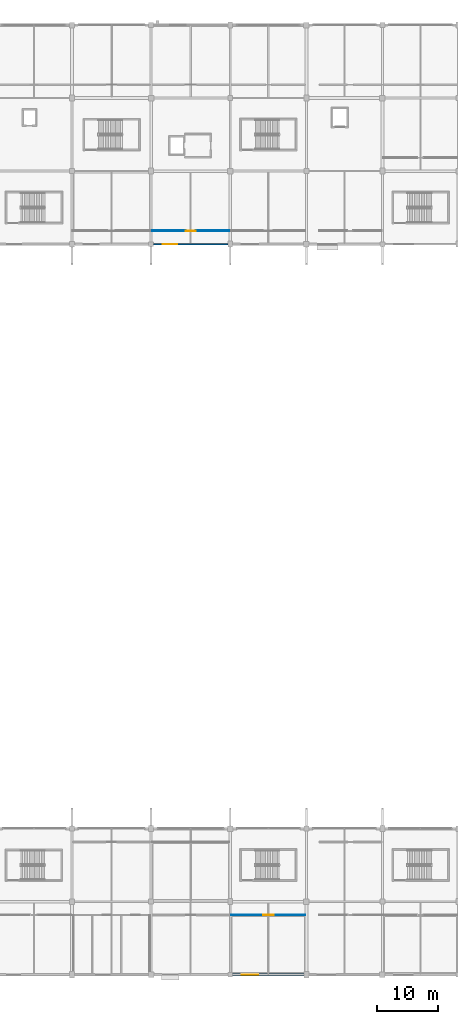
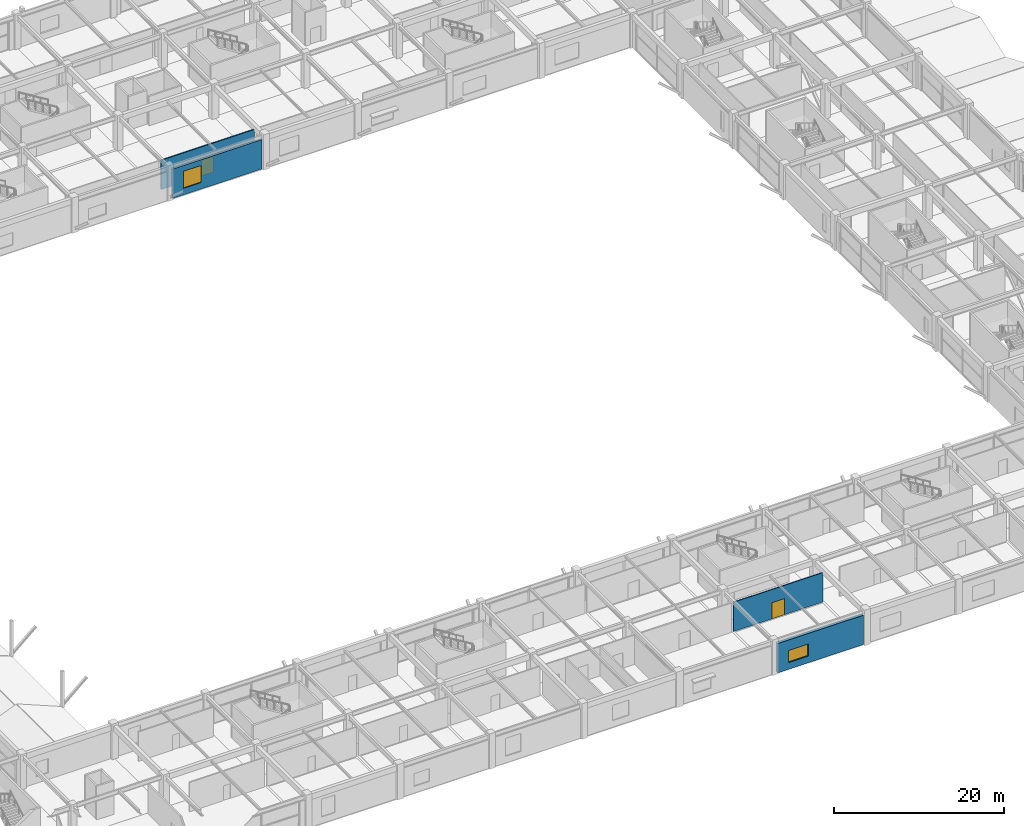
# One storey, part 73 of 116: 4 walls, 2 doors, 2 windows, 4 openings.
"""IFC4 building model written with IfcOpenShell, lengths in metres."""

import ifcopenshell
import ifcopenshell.guid

model = None  # the IFC model being written
_history = None  # IfcOwnerHistory: only IFC2X3 demands one
_inside = {}  # id of a spatial element -> (the spatial element, [elements in it])
_under = {}  # id of a project, library or spatial element -> (it, [spatial elements below it])
_declared = {}  # id of a project -> (the project, [libraries it declares])
_typed = {}  # id of a type object -> (the type object, [elements of that type])
_made_of = {}  # id of a material, layer set ... -> (it, [elements and type objects made of it])


def new_model(schema):
    """Start an empty IFC model of exactly this schema.

    Asked for "IFC4X3", IfcOpenShell would pick the latest addendum, in which some entities
    have other attributes; the version numbers below select the first issue.
    IFC2X3 requires an IfcOwnerHistory on every rooted entity: one is made here for all.
    """
    global model, _history
    if schema == "IFC4X3":
        model = ifcopenshell.file(schema_version=(4, 3, 0, 0))
    else:
        model = ifcopenshell.file(schema=schema)
    _inside.clear()
    _under.clear()
    _declared.clear()
    _typed.clear()
    _made_of.clear()
    _history = None
    if model.schema == "IFC2X3":
        org = make("IfcOrganization", Name="unknown")
        user = make(
            "IfcPersonAndOrganization",
            ThePerson=make("IfcPerson", FamilyName="unknown"),
            TheOrganization=org,
        )
        app = make(
            "IfcApplication",
            ApplicationDeveloper=org,
            Version="unknown",
            ApplicationFullName="unknown",
            ApplicationIdentifier="unknown",
        )
        _history = make(
            "IfcOwnerHistory",
            OwningUser=user,
            OwningApplication=app,
            ChangeAction="ADDED",
            CreationDate=0,
        )
    return model


def make(cls, **values):
    """One entity of the class cls with the attributes given. An attribute that is None is left unset."""
    return model.create_entity(
        cls, **{name: value for name, value in values.items() if value is not None}
    )


def rooted(cls, **values):
    """An entity with a GlobalId (a new one), such as an element, a storey or a relation."""
    return make(cls, GlobalId=ifcopenshell.guid.new(), OwnerHistory=_history, **values)


def si_unit(unit_type, name, prefix=None):
    """IfcSIUnit, for example si_unit("LENGTHUNIT", "METRE", prefix="MILLI")."""
    return make("IfcSIUnit", UnitType=unit_type, Prefix=prefix, Name=name)


def assignment(units):
    """IfcUnitAssignment: the units of a project."""
    return None if units is None else make("IfcUnitAssignment", Units=units)


def point(xyz):
    """IfcCartesianPoint."""
    return None if xyz is None else make("IfcCartesianPoint", Coordinates=xyz)


def direction(xyz):
    """IfcDirection."""
    return None if xyz is None else make("IfcDirection", DirectionRatios=xyz)


def frame(location, z_axis=None, x_axis=None):
    """IfcAxis2Placement3D, a coordinate frame: its origin and axes. An axis left out is left unset."""
    return make(
        "IfcAxis2Placement3D",
        Location=point(location),
        Axis=direction(z_axis),
        RefDirection=direction(x_axis),
    )


def frame_2d(location, x_axis=None):
    """IfcAxis2Placement2D, a coordinate frame in the plane: its origin and x axis."""
    return make(
        "IfcAxis2Placement2D", Location=point(location), RefDirection=direction(x_axis)
    )


def origin():
    """The frame at (0, 0, 0) with its axes left unset."""
    return frame((0.0, 0.0, 0.0))


def place(relative_to, where):
    """IfcLocalPlacement: puts the frame where relative to a parent placement (None: the world)."""
    return make(
        "IfcLocalPlacement", PlacementRelTo=relative_to, RelativePlacement=where
    )


def context(
    kind, dimensions, precision=None, world=None, true_north=None, identifier=None
):
    """IfcGeometricRepresentationContext, for example the 3D "Model" context."""
    return make(
        "IfcGeometricRepresentationContext",
        ContextIdentifier=identifier,
        ContextType=kind,
        CoordinateSpaceDimension=dimensions,
        Precision=precision,
        WorldCoordinateSystem=world,
        TrueNorth=true_north,
    )


def subcontext(parent, identifier, kind, view, scale=None):
    """IfcGeometricRepresentationSubContext, for example "Body" below "Model"."""
    return make(
        "IfcGeometricRepresentationSubContext",
        ContextIdentifier=identifier,
        ContextType=kind,
        ParentContext=parent,
        TargetScale=scale,
        TargetView=view,
    )


def project(units=None, contexts=None):
    """IfcProject with its units and contexts."""
    return rooted(
        "IfcProject",
        Name="project",
        RepresentationContexts=contexts,
        UnitsInContext=assignment(units),
    )


def spatial(cls, under=None, at=None, **own):
    """A site, building, storey or space (cls), placed at a placement, below another one or the project."""
    s = rooted(cls, ObjectPlacement=at, **own)
    if under is not None:
        _under.setdefault(under.id(), (under, []))[1].append(s)
    return s


def profile(cls, at=None, kind="AREA", **sizes):
    """A parametric profile (cls). Its sizes go by their IFC names, for example OverallWidth=200.0."""
    return make(cls, ProfileType=kind, Position=at, **sizes)


def rectangle(**sizes):
    """IfcRectangleProfileDef."""
    return profile("IfcRectangleProfileDef", **sizes)


def extrude(swept, where, along, depth):
    """IfcExtrudedAreaSolid: the profile swept, set in the frame where, extruded along a direction by depth."""
    return make(
        "IfcExtrudedAreaSolid",
        SweptArea=swept,
        Position=where,
        ExtrudedDirection=direction(along),
        Depth=depth,
    )


def shape(context_of_items, identifier, shape_type, items):
    """IfcShapeRepresentation: the items that make up one representation, for example the "Body"."""
    return make(
        "IfcShapeRepresentation",
        ContextOfItems=context_of_items,
        RepresentationIdentifier=identifier,
        RepresentationType=shape_type,
        Items=items,
    )


def material(Name=None, Category=None):
    """IfcMaterial."""
    return make("IfcMaterial", Name=Name, Category=Category)


def layer(
    of_material, thickness, ventilated=None, Name=None, Category=None, Priority=None
):
    """IfcMaterialLayer: one layer of a wall or slab, of a material (None: an air gap)."""
    return make(
        "IfcMaterialLayer",
        Material=of_material,
        LayerThickness=thickness,
        IsVentilated=ventilated,
        Name=Name,
        Category=Category,
        Priority=Priority,
    )


def layer_set(layers, Name=None):
    """IfcMaterialLayerSet."""
    return make("IfcMaterialLayerSet", MaterialLayers=layers, LayerSetName=Name)


def made_of(thing, what):
    """Note that an element or type object is made of a material, layer set ...; save() writes the relation."""
    if what is not None:
        _made_of.setdefault(what.id(), (what, []))[1].append(thing)
    return thing


def type_object(cls, material=None, **own):
    """A type object (cls), such as IfcWallType, which elements share."""
    return made_of(rooted(cls, **own), material)


def element(
    cls,
    number,
    at=None,
    inside=None,
    cuts=None,
    type_object=None,
    material=None,
    context=None,
    identifier="Body",
    shape_type=None,
    held_by="IfcProductDefinitionShape",
    body=None,
    shapes=None,
    **own,
):
    """One element of the class cls, such as IfcWall. Its Tag is "e" and its number.

    at: its placement. inside: the storey or other place that contains it. cuts: it is an
    opening in that element (IfcRelVoidsElement). A single representation is given by context,
    identifier, shape_type and body (its items); several are given by shapes. held_by: the class
    of the entity that holds the representations. save() writes the other relations.
    """
    e = rooted(cls, Tag="e%d" % number, ObjectPlacement=at, **own)
    if body is not None:
        shapes = [shape(context, identifier, shape_type, body)]
    if shapes is not None:
        e.Representation = make(held_by, Representations=shapes)
    if inside is not None:
        _inside.setdefault(inside.id(), (inside, []))[1].append(e)
    if cuts is not None:
        rooted(
            "IfcRelVoidsElement", RelatingBuildingElement=cuts, RelatedOpeningElement=e
        )
    if type_object is not None:
        _typed.setdefault(type_object.id(), (type_object, []))[1].append(e)
    return made_of(e, material)


def fill(opening, filler):
    """IfcRelFillsElement: the door or window that sits in an opening."""
    return rooted(
        "IfcRelFillsElement",
        RelatingOpeningElement=opening,
        RelatedBuildingElement=filler,
    )


def aggregate(whole, parts):
    """IfcRelAggregates: a whole, such as a stair, and the parts it consists of."""
    return rooted("IfcRelAggregates", RelatingObject=whole, RelatedObjects=parts)


def save(model, path):
    """Write the relations noted so far, then the file.

    IfcRelAggregates (storeys below a building ...), IfcRelContainedInSpatialStructure (elements
    in a storey), IfcRelDefinesByType, IfcRelAssociatesMaterial and IfcRelDeclares: one each for
    every whole, place, type object, material and project.
    """
    for whole, parts in _under.values():
        aggregate(whole, parts)
    for where, things in _inside.values():
        rooted(
            "IfcRelContainedInSpatialStructure",
            RelatedElements=things,
            RelatingStructure=where,
        )
    for kind, things in _typed.values():
        rooted("IfcRelDefinesByType", RelatedObjects=things, RelatingType=kind)
    for what, things in _made_of.values():
        rooted("IfcRelAssociatesMaterial", RelatedObjects=things, RelatingMaterial=what)
    for by, libraries in _declared.values():
        rooted("IfcRelDeclares", RelatingContext=by, RelatedDefinitions=libraries)
    model.write(path)


model = new_model("IFC4")

# Units and contexts
model_context = context("Model", 3, precision=1e-05, world=origin(), true_north=direction((0.0, 1.0)))
body_context = subcontext(model_context, "Body", "Model", "MODEL_VIEW")
ifc_project = project(units=[si_unit("LENGTHUNIT", "METRE"), si_unit("AREAUNIT", "SQUARE_METRE"), si_unit("VOLUMEUNIT", "CUBIC_METRE"), si_unit("PLANEANGLEUNIT", "RADIAN"), si_unit("MASSUNIT", "GRAM", prefix="KILO")], contexts=[model_context])

# Site, building, storey
site_placement = place(None, origin())
site = spatial("IfcSite", under=ifc_project, at=site_placement, CompositionType="ELEMENT")
building_placement = place(site_placement, origin())
building = spatial("IfcBuilding", under=site, at=building_placement, Name="Kazenohara Klinker Stadium", CompositionType="ELEMENT")
storey_placement = place(building_placement, frame((0.0, 0.0, 10.199951171875)))
storey = spatial("IfcBuildingStorey", under=building, at=storey_placement, Name="L02", CompositionType="ELEMENT", Elevation=10.199951171875)

# Wall, opening, window
ifc_material_1 = material(Name="Clinker brick masonry", Category="masonry")
ifc_layer_1 = layer(ifc_material_1, 0.280029296875)
ifc_layer_set_1 = layer_set([ifc_layer_1], Name="Clinker brick masonry")
wall_type_1 = type_object("IfcWallType", Name="WAL-EXT-CB280", PredefinedType="SOLIDWALL", material=ifc_layer_set_1)
wall_1_placement = place(storey_placement, frame((112.404052734375, 132.0, 0.0), z_axis=(0.0, 0.0, 1.0), x_axis=(1.0, 0.0, 0.0)))
wall_1 = element("IfcWall", 1, at=wall_1_placement, inside=storey, type_object=wall_type_1, Name="Clinker brick cavity wall EW06 L02 X9-11", PredefinedType="SOLIDWALL", context=body_context, shape_type="SweptSolid", body=[
    extrude(rectangle(XDim=12.19189453125, YDim=0.280029296875, at=frame_2d((6.095947265625, 0.0))), origin(), (0.0, 0.0, 1.0), 4.219970703125),
])
opening_1_placement = place(wall_1_placement, frame((1.5, 0.0, 0.949951171875)))
opening_1 = element("IfcOpeningElement", 2, at=opening_1_placement, cuts=wall_1, Name="Opening W25", PredefinedType="OPENING", context=body_context, shape_type="SweptSolid", body=[
    extrude(rectangle(XDim=2.39990234375, YDim=2.449951171875, at=frame_2d((1.199951171875, 1.22509765625))), frame((0.0, 0.14990234375, 0.0), z_axis=(0.0, -1.0, 0.0), x_axis=(1.0, 0.0, 0.0)), (0.0, 0.0, 1.0), 0.300048828125),
])
ifc_material_2 = material(Name="Dark bronze aluminium frame and triple glazing", Category="aluminium")
window_type_1 = type_object("IfcWindowType", Name="WIN-AS-25", PartitioningType="SINGLE_PANEL", PredefinedType="WINDOW", material=ifc_material_2)
window_1_placement = place(opening_1_placement, origin())
window_1 = element("IfcWindow", 3, at=window_1_placement, inside=storey, type_object=window_type_1, Name="Horizontal-mullion ladder window W25 L02 X9-11", OverallHeight=2.449951171875, OverallWidth=2.39990234375, PartitioningType="SINGLE_PANEL", PredefinedType="WINDOW", context=body_context, shape_type="SweptSolid", body=[
    extrude(rectangle(XDim=2.39990234375, YDim=2.449951171875, at=frame_2d((1.199951171875, 1.22509765625))), frame((0.0, 0.030029296875, 0.0), z_axis=(0.0, -1.0, 0.0), x_axis=(1.0, 0.0, 0.0)), (0.0, 0.0, 1.0), 0.06005859375),
])
fill(opening_1, window_1)

ifc_layer_2 = layer(ifc_material_1, 0.409912109375)
ifc_layer_set_2 = layer_set([ifc_layer_2], Name="Clinker brick masonry")
wall_type_2 = type_object("IfcWallType", Name="WAL-EXT-CB410", PredefinedType="SOLIDWALL", material=ifc_layer_set_2)
wall_2_placement = place(storey_placement, frame((125.404052734375, 12.0, 0.0), z_axis=(0.0, 0.0, 1.0), x_axis=(1.0, 0.0, 0.0)))
wall_2 = element("IfcWall", 4, at=wall_2_placement, inside=storey, type_object=wall_type_2, Name="Clinker brick cavity wall EW02 L02 X10-1", PredefinedType="SOLIDWALL", context=body_context, shape_type="SweptSolid", body=[
    extrude(rectangle(XDim=11.69189453125, YDim=0.409912109375, at=frame_2d((5.845947265625, 0.0))), origin(), (0.0, 0.0, 1.0), 4.219970703125),
])
opening_2_placement = place(wall_2_placement, frame((1.5, 0.0, 0.949951171875)))
opening_2 = element("IfcOpeningElement", 5, at=opening_2_placement, cuts=wall_2, Name="Opening W27", PredefinedType="OPENING", context=body_context, shape_type="SweptSolid", body=[
    extrude(rectangle(XDim=2.699951171875, YDim=1.75, at=frame_2d((1.35009765625, 0.875))), frame((0.0, 0.21484375, 0.0), z_axis=(0.0, -1.0, 0.0), x_axis=(1.0, 0.0, 0.0)), (0.0, 0.0, 1.0), 0.429931640625),
])
window_type_2 = type_object("IfcWindowType", Name="WIN-AS-27", PartitioningType="SINGLE_PANEL", PredefinedType="WINDOW", material=ifc_material_2)
window_2_placement = place(opening_2_placement, origin())
window_2 = element("IfcWindow", 6, at=window_2_placement, inside=storey, type_object=window_type_2, Name="Horizontal-mullion ladder window W27 L02 X10-1", OverallHeight=1.75, OverallWidth=2.699951171875, PartitioningType="SINGLE_PANEL", PredefinedType="WINDOW", context=body_context, shape_type="SweptSolid", body=[
    extrude(rectangle(XDim=2.699951171875, YDim=1.75, at=frame_2d((1.35009765625, 0.875))), frame((0.0, 0.030029296875, 0.0), z_axis=(0.0, -1.0, 0.0), x_axis=(1.0, 0.0, 0.0)), (0.0, 0.0, 1.0), 0.06005859375),
])
fill(opening_2, window_2)

# Wall, opening, door
ifc_material_3 = material(Name="Fire-rated gypsum board on acoustic studs", Category="gypsum")
ifc_layer_3 = layer(ifc_material_3, 0.1201171875)
ifc_layer_set_3 = layer_set([ifc_layer_3], Name="Fire-rated gypsum board on acoustic studs")
wall_type_3 = type_object("IfcWallType", Name="WAL-INT-P120", PredefinedType="PARTITIONING", material=ifc_layer_set_3)
wall_3_placement = place(storey_placement, frame((125.159912109375, 21.81005859375, 0.0), z_axis=(0.0, 0.0, 1.0), x_axis=(1.0, 0.0, 0.0)))
wall_3 = element("IfcWall", 7, at=wall_3_placement, inside=storey, type_object=wall_type_3, Name="Interior partition wall PT02 SPC-L02-10-01-1-1", PredefinedType="PARTITIONING", context=body_context, shape_type="SweptSolid", body=[
    extrude(rectangle(XDim=12.18017578125, YDim=0.1201171875, at=frame_2d((6.090087890625, 0.0))), origin(), (0.0, 0.0, 1.0), 4.219970703125),
])
opening_3_placement = place(wall_3_placement, frame((6.93994140625, 0.0, 0.0), z_axis=(0.0, 0.0, 1.0), x_axis=(-1.0, 0.0, 0.0)))
opening_3 = element("IfcOpeningElement", 8, at=opening_3_placement, cuts=wall_3, Name="Opening ID25", PredefinedType="OPENING", context=body_context, shape_type="SweptSolid", body=[
    extrude(rectangle(XDim=1.699951171875, YDim=2.320068359375, at=frame_2d((0.85009765625, 1.16015625))), frame((0.0, 0.070068359375, 0.0), z_axis=(0.0, -1.0, 0.0), x_axis=(1.0, 0.0, 0.0)), (0.0, 0.0, 1.0), 0.14013671875),
])
ifc_material_4 = material(Name="Painted steel plant fire door", Category="steel")
door_type_1 = type_object("IfcDoorType", Name="DR-INT-25", OperationType="NOTDEFINED", PredefinedType="DOOR", material=ifc_material_4)
door_1_placement = place(opening_3_placement, origin())
door_1 = element("IfcDoor", 9, at=door_1_placement, inside=storey, type_object=door_type_1, Name="Interior door ID25 Hospitality Culinary Catering Kitchen L02-1001A", OperationType="SINGLE_SWING_RIGHT", OverallHeight=2.320068359375, OverallWidth=1.699951171875, PredefinedType="DOOR", context=body_context, shape_type="SweptSolid", body=[
    extrude(rectangle(XDim=1.699951171875, YDim=2.320068359375, at=frame_2d((0.85009765625, 1.16015625))), frame((0.0, 0.02490234375, 0.0), z_axis=(0.0, -1.0, 0.0), x_axis=(1.0, 0.0, 0.0)), (0.0, 0.0, 1.0), 0.050048828125),
])
fill(opening_3, door_1)

ifc_layer_4 = layer(ifc_material_3, 0.14990234375)
ifc_layer_set_4 = layer_set([ifc_layer_4], Name="Fire-rated gypsum board on acoustic studs")
wall_type_4 = type_object("IfcWallType", Name="WAL-INT-P150", PredefinedType="PARTITIONING", material=ifc_layer_set_4)
wall_4_placement = place(storey_placement, frame((112.159912109375, 134.18994140625, 0.0), z_axis=(0.0, 0.0, 1.0), x_axis=(1.0, 0.0, 0.0)))
wall_4 = element("IfcWall", 10, at=wall_4_placement, inside=storey, type_object=wall_type_4, Name="Interior partition wall PT04 SPC-L02-09-11-1-1", PredefinedType="PARTITIONING", context=body_context, shape_type="SweptSolid", body=[
    extrude(rectangle(XDim=12.68017578125, YDim=0.14990234375, at=frame_2d((6.340087890625, 0.0))), origin(), (0.0, 0.0, 1.0), 4.219970703125),
])
opening_4_placement = place(wall_4_placement, frame((5.5400390625, 0.0, 0.0)))
opening_4 = element("IfcOpeningElement", 11, at=opening_4_placement, cuts=wall_4, Name="Opening ID23", PredefinedType="OPENING", context=body_context, shape_type="SweptSolid", body=[
    extrude(rectangle(XDim=1.60009765625, YDim=2.300048828125, at=frame_2d((0.800048828125, 1.14990234375))), frame((0.0, 0.0849609375, 0.0), z_axis=(0.0, -1.0, 0.0), x_axis=(1.0, 0.0, 0.0)), (0.0, 0.0, 1.0), 0.169921875),
])
door_type_2 = type_object("IfcDoorType", Name="DR-INT-23", OperationType="NOTDEFINED", PredefinedType="DOOR", material=ifc_material_4)
door_2_placement = place(opening_4_placement, origin())
door_2 = element("IfcDoor", 12, at=door_2_placement, inside=storey, type_object=door_type_2, Name="Interior door ID23 Civic Sports Archive Reading Room L02-0911A", OperationType="SINGLE_SWING_RIGHT", OverallHeight=2.300048828125, OverallWidth=1.60009765625, PredefinedType="DOOR", context=body_context, shape_type="SweptSolid", body=[
    extrude(rectangle(XDim=1.60009765625, YDim=2.300048828125, at=frame_2d((0.800048828125, 1.14990234375))), frame((0.0, 0.02490234375, 0.0), z_axis=(0.0, -1.0, 0.0), x_axis=(1.0, 0.0, 0.0)), (0.0, 0.0, 1.0), 0.050048828125),
])
fill(opening_4, door_2)

save(model, "model.ifc")
